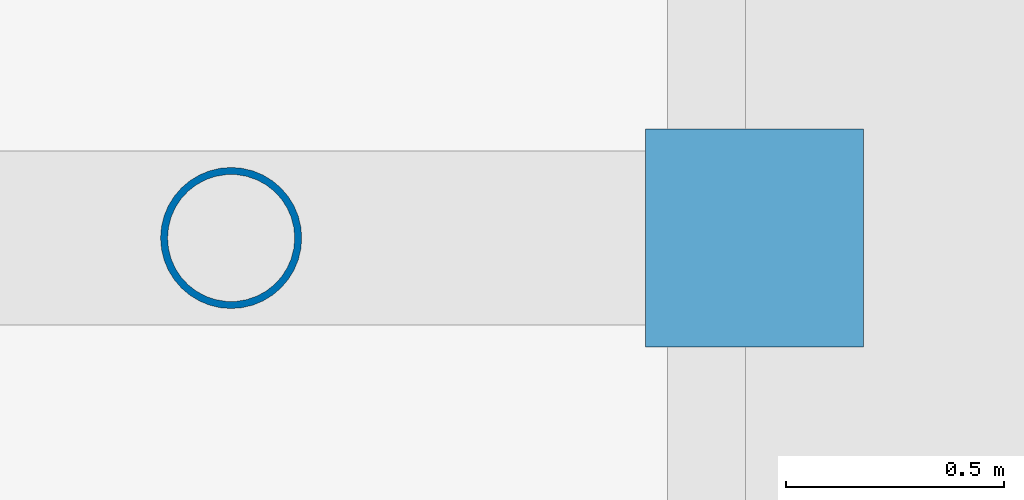
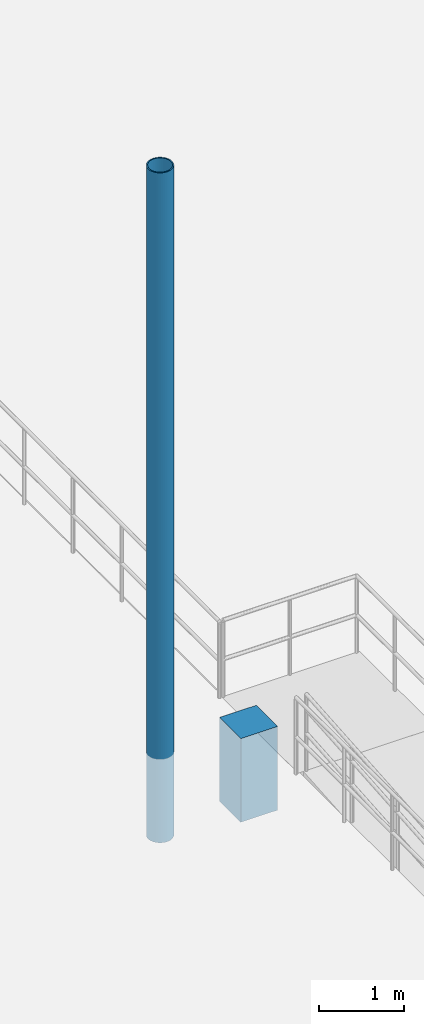
# One storey, part 10 of 138: 2 columns.
"""IFC4 building model written with IfcOpenShell, lengths in metres."""

from ifc_helpers import new_model, si_unit, direction, frame, origin, origin_2d, place, context, subcontext, project, spatial, rectangle, hollow_circle, extrude, material, material_profile, profile_set, type_object, element, save


model = new_model("IFC4")

# Units and contexts
model_context = context("Model", 3, precision=1e-05, world=origin(), true_north=direction((0.0, 1.0)))
body_context = subcontext(model_context, "Body", "Model", "MODEL_VIEW")
ifc_project = project(units=[si_unit("LENGTHUNIT", "METRE"), si_unit("AREAUNIT", "SQUARE_METRE"), si_unit("VOLUMEUNIT", "CUBIC_METRE"), si_unit("PLANEANGLEUNIT", "RADIAN"), si_unit("MASSUNIT", "GRAM", prefix="KILO")], contexts=[model_context])

# Site, building, storey
site_placement = place(None, origin())
site = spatial("IfcSite", under=ifc_project, at=site_placement, CompositionType="ELEMENT")
building_placement = place(site_placement, origin())
building = spatial("IfcBuilding", under=site, at=building_placement, Name="Zwinboog Wholesale Market", CompositionType="ELEMENT")
storey_placement = place(building_placement, origin())
storey = spatial("IfcBuildingStorey", under=building, at=storey_placement, Name="L00", CompositionType="ELEMENT", Elevation=0.0)

# Columns
ifc_material_1 = material(Name="Precast concrete C45/55", Category="concrete")
ifc_material_profile_1 = material_profile(ifc_material_1, rectangle(XDim=0.5, YDim=0.5, at=origin_2d()), Name="PC 500x500")
ifc_profile_set_1 = profile_set([ifc_material_profile_1], Name="Precast concrete C45/55")
column_type_1 = type_object("IfcColumnType", Name="CT-06", PredefinedType="COLUMN", material=ifc_profile_set_1)
column_1_placement = place(storey_placement, frame((183.60009765625, 54.0, -1.199951171875), z_axis=(0.0, 0.0, 1.0), x_axis=(1.0, 0.0, 0.0)))
element("IfcColumn", 1, at=column_1_placement, inside=storey, type_object=column_type_1, Name="C-06 (COL-L00-0446)", PredefinedType="COLUMN", context=body_context, shape_type="SweptSolid", body=[
    extrude(rectangle(XDim=0.5, YDim=0.5, at=origin_2d()), origin(), (0.0, 0.0, 1.0), 1.199951171875),
])
ifc_material_2 = material(Name="Steel S355", Category="steel")
ifc_material_profile_2 = material_profile(ifc_material_2, hollow_circle(Radius=0.161865234375, WallThickness=0.01611328125, at=origin_2d()), Name="CHS 323.9x16")
ifc_profile_set_2 = profile_set([ifc_material_profile_2], Name="Steel S355")
column_type_2 = type_object("IfcColumnType", Name="CT-09", PredefinedType="PILASTER", material=ifc_profile_set_2)
column_2_placement = place(storey_placement, frame((182.39990234375, 54.0, -1.199951171875), z_axis=(0.0, 0.0, 1.0), x_axis=(1.0, 0.0, 0.0)))
element("IfcColumn", 2, at=column_2_placement, inside=storey, type_object=column_type_2, Name="CS-01 (COL-CAN-01)", PredefinedType="PILASTER", context=body_context, shape_type="SweptSolid", body=[
    extrude(hollow_circle(Radius=0.161865234375, WallThickness=0.01611328125, at=origin_2d()), origin(), (0.0, 0.0, 1.0), 9.599853515625),
])

save(model, "model.ifc")
